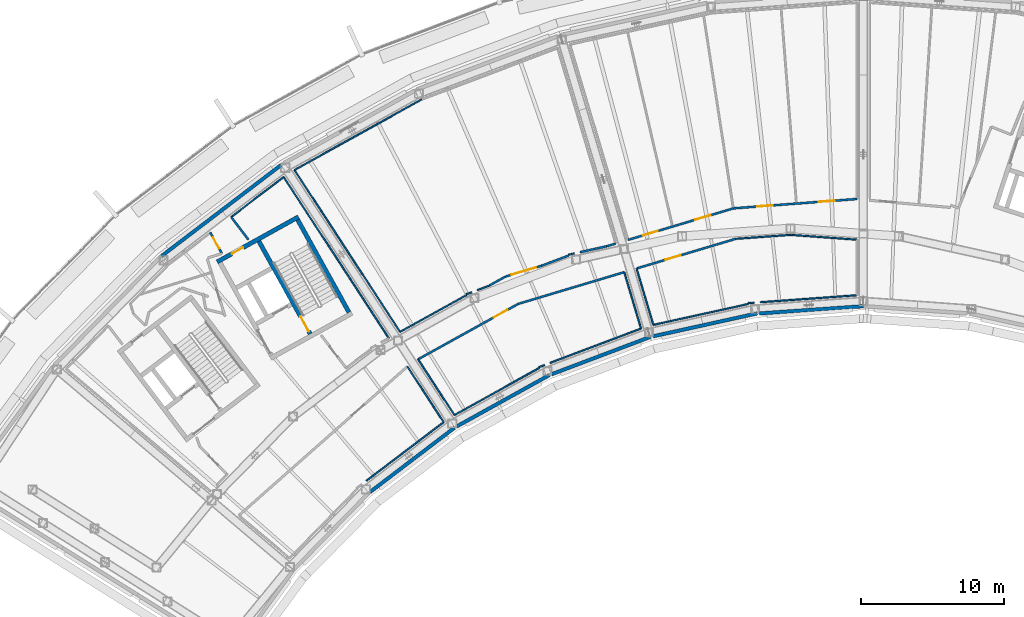
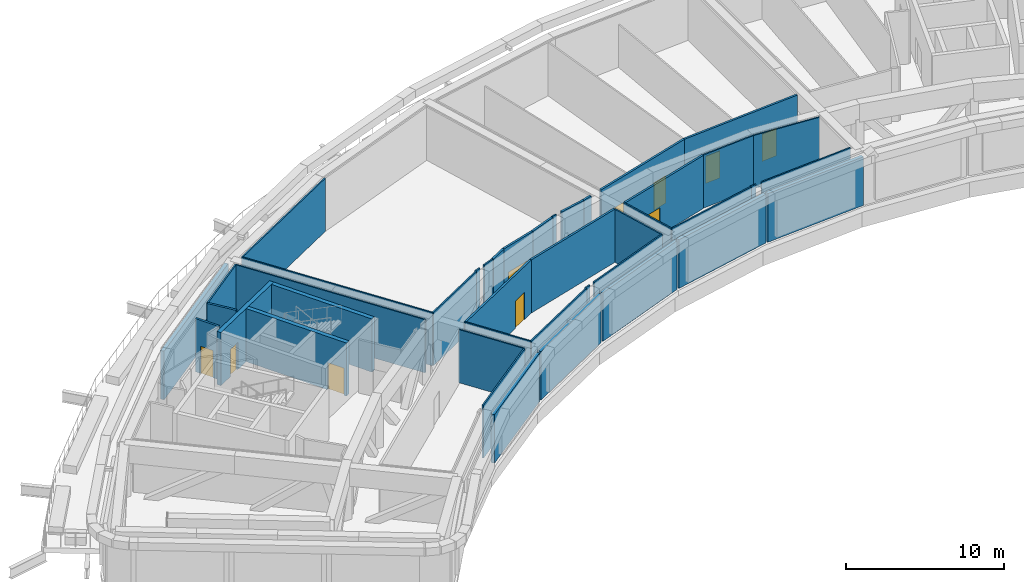
# One storey, part 8 of 24: 42 walls, 10 doors, 10 openings.
"""IFC4 building model written with IfcOpenShell, lengths in metres."""

import ifcopenshell
import ifcopenshell.guid

model = None  # the IFC model being written
_history = None  # IfcOwnerHistory: only IFC2X3 demands one
_inside = {}  # id of a spatial element -> (the spatial element, [elements in it])
_under = {}  # id of a project, library or spatial element -> (it, [spatial elements below it])
_declared = {}  # id of a project -> (the project, [libraries it declares])
_typed = {}  # id of a type object -> (the type object, [elements of that type])
_made_of = {}  # id of a material, layer set ... -> (it, [elements and type objects made of it])


def new_model(schema):
    """Start an empty IFC model of exactly this schema.

    Asked for "IFC4X3", IfcOpenShell would pick the latest addendum, in which some entities
    have other attributes; the version numbers below select the first issue.
    IFC2X3 requires an IfcOwnerHistory on every rooted entity: one is made here for all.
    """
    global model, _history
    if schema == "IFC4X3":
        model = ifcopenshell.file(schema_version=(4, 3, 0, 0))
    else:
        model = ifcopenshell.file(schema=schema)
    _inside.clear()
    _under.clear()
    _declared.clear()
    _typed.clear()
    _made_of.clear()
    _history = None
    if model.schema == "IFC2X3":
        org = make("IfcOrganization", Name="unknown")
        user = make(
            "IfcPersonAndOrganization",
            ThePerson=make("IfcPerson", FamilyName="unknown"),
            TheOrganization=org,
        )
        app = make(
            "IfcApplication",
            ApplicationDeveloper=org,
            Version="unknown",
            ApplicationFullName="unknown",
            ApplicationIdentifier="unknown",
        )
        _history = make(
            "IfcOwnerHistory",
            OwningUser=user,
            OwningApplication=app,
            ChangeAction="ADDED",
            CreationDate=0,
        )
    return model


def make(cls, **values):
    """One entity of the class cls with the attributes given. An attribute that is None is left unset."""
    return model.create_entity(
        cls, **{name: value for name, value in values.items() if value is not None}
    )


def rooted(cls, **values):
    """An entity with a GlobalId (a new one), such as an element, a storey or a relation."""
    return make(cls, GlobalId=ifcopenshell.guid.new(), OwnerHistory=_history, **values)


def si_unit(unit_type, name, prefix=None):
    """IfcSIUnit, for example si_unit("LENGTHUNIT", "METRE", prefix="MILLI")."""
    return make("IfcSIUnit", UnitType=unit_type, Prefix=prefix, Name=name)


def assignment(units):
    """IfcUnitAssignment: the units of a project."""
    return None if units is None else make("IfcUnitAssignment", Units=units)


def point(xyz):
    """IfcCartesianPoint."""
    return None if xyz is None else make("IfcCartesianPoint", Coordinates=xyz)


def direction(xyz):
    """IfcDirection."""
    return None if xyz is None else make("IfcDirection", DirectionRatios=xyz)


def frame(location, z_axis=None, x_axis=None):
    """IfcAxis2Placement3D, a coordinate frame: its origin and axes. An axis left out is left unset."""
    return make(
        "IfcAxis2Placement3D",
        Location=point(location),
        Axis=direction(z_axis),
        RefDirection=direction(x_axis),
    )


def frame_2d(location, x_axis=None):
    """IfcAxis2Placement2D, a coordinate frame in the plane: its origin and x axis."""
    return make(
        "IfcAxis2Placement2D", Location=point(location), RefDirection=direction(x_axis)
    )


def origin():
    """The frame at (0, 0, 0) with its axes left unset."""
    return frame((0.0, 0.0, 0.0))


def place(relative_to, where):
    """IfcLocalPlacement: puts the frame where relative to a parent placement (None: the world)."""
    return make(
        "IfcLocalPlacement", PlacementRelTo=relative_to, RelativePlacement=where
    )


def context(
    kind, dimensions, precision=None, world=None, true_north=None, identifier=None
):
    """IfcGeometricRepresentationContext, for example the 3D "Model" context."""
    return make(
        "IfcGeometricRepresentationContext",
        ContextIdentifier=identifier,
        ContextType=kind,
        CoordinateSpaceDimension=dimensions,
        Precision=precision,
        WorldCoordinateSystem=world,
        TrueNorth=true_north,
    )


def subcontext(parent, identifier, kind, view, scale=None):
    """IfcGeometricRepresentationSubContext, for example "Body" below "Model"."""
    return make(
        "IfcGeometricRepresentationSubContext",
        ContextIdentifier=identifier,
        ContextType=kind,
        ParentContext=parent,
        TargetScale=scale,
        TargetView=view,
    )


def project(units=None, contexts=None):
    """IfcProject with its units and contexts."""
    return rooted(
        "IfcProject",
        Name="project",
        RepresentationContexts=contexts,
        UnitsInContext=assignment(units),
    )


def spatial(cls, under=None, at=None, **own):
    """A site, building, storey or space (cls), placed at a placement, below another one or the project."""
    s = rooted(cls, ObjectPlacement=at, **own)
    if under is not None:
        _under.setdefault(under.id(), (under, []))[1].append(s)
    return s


def profile(cls, at=None, kind="AREA", **sizes):
    """A parametric profile (cls). Its sizes go by their IFC names, for example OverallWidth=200.0."""
    return make(cls, ProfileType=kind, Position=at, **sizes)


def rectangle(**sizes):
    """IfcRectangleProfileDef."""
    return profile("IfcRectangleProfileDef", **sizes)


def extrude(swept, where, along, depth):
    """IfcExtrudedAreaSolid: the profile swept, set in the frame where, extruded along a direction by depth."""
    return make(
        "IfcExtrudedAreaSolid",
        SweptArea=swept,
        Position=where,
        ExtrudedDirection=direction(along),
        Depth=depth,
    )


def shape(context_of_items, identifier, shape_type, items):
    """IfcShapeRepresentation: the items that make up one representation, for example the "Body"."""
    return make(
        "IfcShapeRepresentation",
        ContextOfItems=context_of_items,
        RepresentationIdentifier=identifier,
        RepresentationType=shape_type,
        Items=items,
    )


def material(Name=None, Category=None):
    """IfcMaterial."""
    return make("IfcMaterial", Name=Name, Category=Category)


def layer(
    of_material, thickness, ventilated=None, Name=None, Category=None, Priority=None
):
    """IfcMaterialLayer: one layer of a wall or slab, of a material (None: an air gap)."""
    return make(
        "IfcMaterialLayer",
        Material=of_material,
        LayerThickness=thickness,
        IsVentilated=ventilated,
        Name=Name,
        Category=Category,
        Priority=Priority,
    )


def layer_set(layers, Name=None):
    """IfcMaterialLayerSet."""
    return make("IfcMaterialLayerSet", MaterialLayers=layers, LayerSetName=Name)


def made_of(thing, what):
    """Note that an element or type object is made of a material, layer set ...; save() writes the relation."""
    if what is not None:
        _made_of.setdefault(what.id(), (what, []))[1].append(thing)
    return thing


def type_object(cls, material=None, **own):
    """A type object (cls), such as IfcWallType, which elements share."""
    return made_of(rooted(cls, **own), material)


def element(
    cls,
    number,
    at=None,
    inside=None,
    cuts=None,
    type_object=None,
    material=None,
    context=None,
    identifier="Body",
    shape_type=None,
    held_by="IfcProductDefinitionShape",
    body=None,
    shapes=None,
    **own,
):
    """One element of the class cls, such as IfcWall. Its Tag is "e" and its number.

    at: its placement. inside: the storey or other place that contains it. cuts: it is an
    opening in that element (IfcRelVoidsElement). A single representation is given by context,
    identifier, shape_type and body (its items); several are given by shapes. held_by: the class
    of the entity that holds the representations. save() writes the other relations.
    """
    e = rooted(cls, Tag="e%d" % number, ObjectPlacement=at, **own)
    if body is not None:
        shapes = [shape(context, identifier, shape_type, body)]
    if shapes is not None:
        e.Representation = make(held_by, Representations=shapes)
    if inside is not None:
        _inside.setdefault(inside.id(), (inside, []))[1].append(e)
    if cuts is not None:
        rooted(
            "IfcRelVoidsElement", RelatingBuildingElement=cuts, RelatedOpeningElement=e
        )
    if type_object is not None:
        _typed.setdefault(type_object.id(), (type_object, []))[1].append(e)
    return made_of(e, material)


def fill(opening, filler):
    """IfcRelFillsElement: the door or window that sits in an opening."""
    return rooted(
        "IfcRelFillsElement",
        RelatingOpeningElement=opening,
        RelatedBuildingElement=filler,
    )


def aggregate(whole, parts):
    """IfcRelAggregates: a whole, such as a stair, and the parts it consists of."""
    return rooted("IfcRelAggregates", RelatingObject=whole, RelatedObjects=parts)


def save(model, path):
    """Write the relations noted so far, then the file.

    IfcRelAggregates (storeys below a building ...), IfcRelContainedInSpatialStructure (elements
    in a storey), IfcRelDefinesByType, IfcRelAssociatesMaterial and IfcRelDeclares: one each for
    every whole, place, type object, material and project.
    """
    for whole, parts in _under.values():
        aggregate(whole, parts)
    for where, things in _inside.values():
        rooted(
            "IfcRelContainedInSpatialStructure",
            RelatedElements=things,
            RelatingStructure=where,
        )
    for kind, things in _typed.values():
        rooted("IfcRelDefinesByType", RelatedObjects=things, RelatingType=kind)
    for what, things in _made_of.values():
        rooted("IfcRelAssociatesMaterial", RelatedObjects=things, RelatingMaterial=what)
    for by, libraries in _declared.values():
        rooted("IfcRelDeclares", RelatingContext=by, RelatedDefinitions=libraries)
    model.write(path)


model = new_model("IFC4")

# Units and contexts
model_context = context("Model", 3, precision=1e-05, world=origin(), true_north=direction((0.0, 1.0)))
body_context = subcontext(model_context, "Body", "Model", "MODEL_VIEW")
ifc_project = project(units=[si_unit("LENGTHUNIT", "METRE"), si_unit("AREAUNIT", "SQUARE_METRE"), si_unit("VOLUMEUNIT", "CUBIC_METRE"), si_unit("PLANEANGLEUNIT", "RADIAN"), si_unit("MASSUNIT", "GRAM", prefix="KILO")], contexts=[model_context])

# Site, building, storey
site_placement = place(None, origin())
site = spatial("IfcSite", under=ifc_project, at=site_placement, CompositionType="ELEMENT")
building_placement = place(site_placement, origin())
building = spatial("IfcBuilding", under=site, at=building_placement, Name="Tuul Gate Civic Tower", CompositionType="ELEMENT")
storey_placement = place(building_placement, frame((0.0, 0.0, 243.89990234375)))
storey = spatial("IfcBuildingStorey", under=building, at=storey_placement, Name="Plant and refuge floor 6", CompositionType="ELEMENT", Elevation=243.89990234375)

# Wall, opening, door
ifc_material_1 = material(Name="Concrete C50/60", Category="concrete")
ifc_layer_1 = layer(ifc_material_1, 0.300048828125)
ifc_layer_set_1 = layer_set([ifc_layer_1], Name="Concrete C50/60")
wall_type_1 = type_object("IfcWallType", Name="Core wall C50/60", PredefinedType="SHEAR", material=ifc_layer_set_1)
wall_1_placement = place(storey_placement, frame((-28.4443359375, -1.98095703125, 0.0), z_axis=(0.0, 0.0, 1.0), x_axis=(-0.874629909008, -0.484791215132, 0.0)))
wall_1 = element("IfcWall", 1, at=wall_1_placement, inside=storey, type_object=wall_type_1, Name="Core wall", PredefinedType="SHEAR", context=body_context, shape_type="SweptSolid", body=[
    extrude(rectangle(XDim=6.5, YDim=0.300048828125, at=frame_2d((3.25, 0.0))), origin(), (0.0, 0.0, 1.0), 4.10009765625),
])
opening_1_placement = place(wall_1_placement, frame((4.425048828125, 0.0, 0.0)))
opening_1 = element("IfcOpeningElement", 2, at=opening_1_placement, cuts=wall_1, Name="Opening PB-D24", PredefinedType="OPENING", context=body_context, shape_type="SweptSolid", body=[
    extrude(rectangle(XDim=0.89990234375, YDim=2.10009765625, at=frame_2d((0.449951171875, 1.050048828125))), frame((0.0, 0.16015625, 0.0), z_axis=(0.0, -1.0, 0.0), x_axis=(1.0, 0.0, 0.0)), (0.0, 0.0, 1.0), 0.320068359375),
])
ifc_material_2 = material(Name="Timber door leaf", Category="wood")
door_type_1 = type_object("IfcDoorType", Name="Door D09", OperationType="NOTDEFINED", PredefinedType="DOOR", material=ifc_material_2)
door_1_placement = place(opening_1_placement, origin())
door_1 = element("IfcDoor", 3, at=door_1_placement, inside=storey, type_object=door_type_1, Name="Door PB-D24", OperationType="SINGLE_SWING_LEFT", OverallHeight=2.10009765625, OverallWidth=0.89990234375, PredefinedType="DOOR", context=body_context, shape_type="SweptSolid", body=[
    extrude(rectangle(XDim=0.89990234375, YDim=2.10009765625, at=frame_2d((0.449951171875, 1.050048828125))), frame((0.0, 0.02490234375, 0.0), z_axis=(0.0, -1.0, 0.0), x_axis=(1.0, 0.0, 0.0)), (0.0, 0.0, 1.0), 0.050048828125),
])
fill(opening_1, door_1)

# Wall
wall_2_placement = place(storey_placement, frame((-24.91552734375, -8.6572265625, 0.0), z_axis=(0.0, 0.0, 1.0), x_axis=(-0.484777133038, 0.874637714304, 0.0)))
element("IfcWall", 4, at=wall_2_placement, inside=storey, type_object=wall_type_1, Name="Core wall", PredefinedType="SHEAR", context=body_context, shape_type="SweptSolid", body=[
    extrude(rectangle(XDim=7.400146484375, YDim=0.300048828125, at=frame_2d((3.7001953125, 0.0))), origin(), (0.0, 0.0, 1.0), 4.10009765625),
])

# Wall, opening, door
wall_3_placement = place(storey_placement, frame((-27.626953125, -10.16015625, 0.0), z_axis=(0.0, 0.0, 1.0), x_axis=(-0.484751894226, 0.874651702704, 0.0)))
wall_3 = element("IfcWall", 5, at=wall_3_placement, inside=storey, type_object=wall_type_1, Name="Core wall", PredefinedType="SHEAR", context=body_context, shape_type="SweptSolid", body=[
    extrude(rectangle(XDim=7.39990234375, YDim=0.300048828125, at=frame_2d((3.699951171875, 0.0))), origin(), (0.0, 0.0, 1.0), 4.10009765625),
])
opening_2_placement = place(wall_3_placement, frame((0.199951171875, 0.0, 0.0)))
opening_2 = element("IfcOpeningElement", 6, at=opening_2_placement, cuts=wall_3, Name="Opening SD-ST-2", PredefinedType="OPENING", context=body_context, shape_type="SweptSolid", body=[
    extrude(rectangle(XDim=1.199951171875, YDim=2.10009765625, at=frame_2d((0.60009765625, 1.050048828125))), frame((0.0, 0.16015625, 0.0), z_axis=(0.0, -1.0, 0.0), x_axis=(1.0, 0.0, 0.0)), (0.0, 0.0, 1.0), 0.320068359375),
])
ifc_material_3 = material(Name="Steel", Category="steel")
door_type_2 = type_object("IfcDoorType", Name="Stair door", OperationType="NOTDEFINED", PredefinedType="DOOR", material=ifc_material_3)
door_2_placement = place(opening_2_placement, origin())
door_2 = element("IfcDoor", 7, at=door_2_placement, inside=storey, type_object=door_type_2, Name="Stair door ST-2", OperationType="SINGLE_SWING_LEFT", OverallHeight=2.10009765625, OverallWidth=1.199951171875, PredefinedType="DOOR", context=body_context, shape_type="SweptSolid", body=[
    extrude(rectangle(XDim=1.199951171875, YDim=2.10009765625, at=frame_2d((0.60009765625, 1.050048828125))), frame((0.0, 0.02490234375, 0.0), z_axis=(0.0, -1.0, 0.0), x_axis=(1.0, 0.0, 0.0)), (0.0, 0.0, 1.0), 0.050048828125),
])
fill(opening_2, door_2)

# Wall
ifc_material_4 = material(Name="Gypsum board partition")
ifc_layer_2 = layer(ifc_material_4, 0.14990234375)
ifc_layer_set_2 = layer_set([ifc_layer_2], Name="Gypsum board partition")
wall_type_2 = type_object("IfcWallType", Name="Corridor wall P150", PredefinedType="PARTITIONING", material=ifc_layer_set_2)
wall_4_placement = place(storey_placement, frame((-13.08251953125, -8.0634765625, 0.0), z_axis=(0.0, 0.0, 1.0), x_axis=(0.958030377263, 0.286666698872, 0.0)))
element("IfcWall", 8, at=wall_4_placement, inside=storey, type_object=wall_type_2, Name="p053", PredefinedType="PARTITIONING", context=body_context, shape_type="SweptSolid", body=[
    extrude(rectangle(XDim=7.727783203125, YDim=0.14990234375, at=frame_2d((3.86376953125, 0.0))), origin(), (0.0, 0.0, 1.0), 4.10009765625),
])

# Wall, opening, door
wall_5_placement = place(storey_placement, frame((-4.81689453125, -5.590087890625, 0.0), z_axis=(0.0, 0.0, 1.0), x_axis=(0.958037164083, 0.28664401657, 0.0)))
wall_5 = element("IfcWall", 9, at=wall_5_placement, inside=storey, type_object=wall_type_2, Name="p054", PredefinedType="PARTITIONING", context=body_context, shape_type="SweptSolid", body=[
    extrude(rectangle(XDim=7.224365234375, YDim=0.14990234375, at=frame_2d((3.6123046875, 0.0))), origin(), (0.0, 0.0, 1.0), 4.10009765625),
])
opening_3_placement = place(wall_5_placement, frame((2.112060546875, 0.0, 0.0)))
opening_3 = element("IfcOpeningElement", 10, at=opening_3_placement, cuts=wall_5, Name="Opening PB-D12", PredefinedType="OPENING", context=body_context, shape_type="SweptSolid", body=[
    extrude(rectangle(XDim=1.10009765625, YDim=2.10009765625, at=frame_2d((0.550048828125, 1.050048828125))), frame((0.0, 0.0849609375, 0.0), z_axis=(0.0, -1.0, 0.0), x_axis=(1.0, 0.0, 0.0)), (0.0, 0.0, 1.0), 0.169921875),
])
ifc_material_5 = material(Name="Timber door leaf", Category="wood")
door_type_3 = type_object("IfcDoorType", Name="Door D11", OperationType="NOTDEFINED", PredefinedType="DOOR", material=ifc_material_5)
door_3_placement = place(opening_3_placement, frame((1.10009765625, 0.0, 0.0), z_axis=(0.0, 0.0, 1.0), x_axis=(-1.0, 0.0, 0.0)))
door_3 = element("IfcDoor", 11, at=door_3_placement, inside=storey, type_object=door_type_3, Name="Door PB-D12", OperationType="SINGLE_SWING_LEFT", OverallHeight=2.10009765625, OverallWidth=1.10009765625, PredefinedType="DOOR", context=body_context, shape_type="SweptSolid", body=[
    extrude(rectangle(XDim=1.10009765625, YDim=2.10009765625, at=frame_2d((0.550048828125, 1.050048828125))), frame((0.0, 0.02490234375, 0.0), z_axis=(0.0, -1.0, 0.0), x_axis=(1.0, 0.0, 0.0)), (0.0, 0.0, 1.0), 0.050048828125),
])
fill(opening_3, door_3)

# Wall, openings, doors
wall_6_placement = place(storey_placement, frame((1.957275390625, -1.38818359375, 0.0), z_axis=(0.0, 0.0, 1.0), x_axis=(0.99714052903, 0.075569606098, 0.0)))
wall_6 = element("IfcWall", 12, at=wall_6_placement, inside=storey, type_object=wall_type_2, Name="p056", PredefinedType="PARTITIONING", context=body_context, shape_type="SweptSolid", body=[
    extrude(rectangle(XDim=8.6484375, YDim=0.14990234375, at=frame_2d((4.32421875, 0.0))), origin(), (0.0, 0.0, 1.0), 4.10009765625),
])
opening_4_placement = place(wall_6_placement, frame((5.981201171875, 0.0, 0.0)))
opening_4 = element("IfcOpeningElement", 13, at=opening_4_placement, cuts=wall_6, Name="Opening PB-D13", PredefinedType="OPENING", context=body_context, shape_type="SweptSolid", body=[
    extrude(rectangle(XDim=1.10009765625, YDim=2.10009765625, at=frame_2d((0.550048828125, 1.050048828125))), frame((0.0, 0.0849609375, 0.0), z_axis=(0.0, -1.0, 0.0), x_axis=(1.0, 0.0, 0.0)), (0.0, 0.0, 1.0), 0.169921875),
])
opening_5_placement = place(wall_6_placement, frame((1.656982421875, 0.0, 0.0)))
opening_5 = element("IfcOpeningElement", 14, at=opening_5_placement, cuts=wall_6, Name="Opening PB-D14", PredefinedType="OPENING", context=body_context, shape_type="SweptSolid", body=[
    extrude(rectangle(XDim=1.10009765625, YDim=2.10009765625, at=frame_2d((0.550048828125, 1.050048828125))), frame((0.0, 0.0849609375, 0.0), z_axis=(0.0, -1.0, 0.0), x_axis=(1.0, 0.0, 0.0)), (0.0, 0.0, 1.0), 0.169921875),
])
door_4_placement = place(opening_4_placement, origin())
door_4 = element("IfcDoor", 15, at=door_4_placement, inside=storey, type_object=door_type_3, Name="Door PB-D13", OperationType="SINGLE_SWING_RIGHT", OverallHeight=2.10009765625, OverallWidth=1.10009765625, PredefinedType="DOOR", context=body_context, shape_type="SweptSolid", body=[
    extrude(rectangle(XDim=1.10009765625, YDim=2.10009765625, at=frame_2d((0.550048828125, 1.050048828125))), frame((0.0, 0.02490234375, 0.0), z_axis=(0.0, -1.0, 0.0), x_axis=(1.0, 0.0, 0.0)), (0.0, 0.0, 1.0), 0.050048828125),
])
fill(opening_4, door_4)
door_5_placement = place(opening_5_placement, origin())
door_5 = element("IfcDoor", 16, at=door_5_placement, inside=storey, type_object=door_type_3, Name="Door PB-D14", OperationType="SINGLE_SWING_RIGHT", OverallHeight=2.10009765625, OverallWidth=1.10009765625, PredefinedType="DOOR", context=body_context, shape_type="SweptSolid", body=[
    extrude(rectangle(XDim=1.10009765625, YDim=2.10009765625, at=frame_2d((0.550048828125, 1.050048828125))), frame((0.0, 0.02490234375, 0.0), z_axis=(0.0, -1.0, 0.0), x_axis=(1.0, 0.0, 0.0)), (0.0, 0.0, 1.0), 0.050048828125),
])
fill(opening_5, door_5)

# Wall, opening, door
wall_7_placement = place(storey_placement, frame((-13.969970703125, -6.15380859375, 0.0), z_axis=(0.0, 0.0, 1.0), x_axis=(0.95801649926, 0.286713074598, 0.0)))
wall_7 = element("IfcWall", 17, at=wall_7_placement, inside=storey, type_object=wall_type_2, Name="p058", PredefinedType="PARTITIONING", context=body_context, shape_type="SweptSolid", body=[
    extrude(rectangle(XDim=2.646484375, YDim=0.14990234375, at=frame_2d((1.3232421875, 0.0))), origin(), (0.0, 0.0, 1.0), 4.10009765625),
])
opening_6_placement = place(wall_7_placement, frame((0.423095703125, 0.0, 0.0)))
opening_6 = element("IfcOpeningElement", 18, at=opening_6_placement, cuts=wall_7, Name="Opening PB-D171", PredefinedType="OPENING", context=body_context, shape_type="SweptSolid", body=[
    extrude(rectangle(XDim=1.800048828125, YDim=2.10009765625, at=frame_2d((0.89990234375, 1.050048828125))), frame((0.0, 0.0849609375, 0.0), z_axis=(0.0, -1.0, 0.0), x_axis=(1.0, 0.0, 0.0)), (0.0, 0.0, 1.0), 0.169921875),
])
ifc_material_6 = material(Name="Timber door leaf, double", Category="wood")
door_type_4 = type_object("IfcDoorType", Name="Door D18", OperationType="DOUBLE_DOOR_SINGLE_SWING", PredefinedType="DOOR", material=ifc_material_6)
door_6_placement = place(opening_6_placement, origin())
door_6 = element("IfcDoor", 19, at=door_6_placement, inside=storey, type_object=door_type_4, Name="Door PB-D17", OperationType="DOUBLE_DOOR_SINGLE_SWING", OverallHeight=2.10009765625, OverallWidth=1.800048828125, PredefinedType="DOOR", context=body_context, shape_type="SweptSolid", body=[
    extrude(rectangle(XDim=1.800048828125, YDim=2.10009765625, at=frame_2d((0.89990234375, 1.050048828125))), frame((0.0, 0.02490234375, 0.0), z_axis=(0.0, -1.0, 0.0), x_axis=(1.0, 0.0, 0.0)), (0.0, 0.0, 1.0), 0.050048828125),
])
fill(opening_6, door_6)

# Wall
wall_8_placement = place(storey_placement, frame((-6.91259765625, -4.0419921875, 0.0), z_axis=(0.0, 0.0, 1.0), x_axis=(0.957967164936, 0.286877867574, 0.0)))
element("IfcWall", 20, at=wall_8_placement, inside=storey, type_object=wall_type_2, Name="p059", PredefinedType="PARTITIONING", context=body_context, shape_type="SweptSolid", body=[
    extrude(rectangle(XDim=0.667236328125, YDim=0.14990234375, at=frame_2d((0.33349609375, 0.0))), origin(), (0.0, 0.0, 1.0), 4.10009765625),
])

# Wall, openings, doors
wall_9_placement = place(storey_placement, frame((-5.4111328125, -3.5927734375, 0.0), z_axis=(0.0, 0.0, 1.0), x_axis=(0.958032283204, 0.286660329205, 0.0)))
wall_9 = element("IfcWall", 21, at=wall_9_placement, inside=storey, type_object=wall_type_2, Name="p060", PredefinedType="PARTITIONING", context=body_context, shape_type="SweptSolid", body=[
    extrude(rectangle(XDim=7.68896484375, YDim=0.14990234375, at=frame_2d((3.844482421875, 0.0))), origin(), (0.0, 0.0, 1.0), 4.10009765625),
])
opening_7_placement = place(wall_9_placement, frame((4.91064453125, 0.0, 0.0)))
opening_7 = element("IfcOpeningElement", 22, at=opening_7_placement, cuts=wall_9, Name="Opening PB-D15", PredefinedType="OPENING", context=body_context, shape_type="SweptSolid", body=[
    extrude(rectangle(XDim=1.10009765625, YDim=2.10009765625, at=frame_2d((0.550048828125, 1.050048828125))), frame((0.0, 0.0849609375, 0.0), z_axis=(0.0, -1.0, 0.0), x_axis=(1.0, 0.0, 0.0)), (0.0, 0.0, 1.0), 0.169921875),
])
opening_8_placement = place(wall_9_placement, frame((1.071533203125, 0.0, 0.0)))
opening_8 = element("IfcOpeningElement", 23, at=opening_8_placement, cuts=wall_9, Name="Opening PB-D16", PredefinedType="OPENING", context=body_context, shape_type="SweptSolid", body=[
    extrude(rectangle(XDim=1.10009765625, YDim=2.10009765625, at=frame_2d((0.550048828125, 1.050048828125))), frame((0.0, 0.0849609375, 0.0), z_axis=(0.0, -1.0, 0.0), x_axis=(1.0, 0.0, 0.0)), (0.0, 0.0, 1.0), 0.169921875),
])
door_7_placement = place(opening_7_placement, origin())
door_7 = element("IfcDoor", 24, at=door_7_placement, inside=storey, type_object=door_type_3, Name="Door PB-D15", OperationType="SINGLE_SWING_RIGHT", OverallHeight=2.10009765625, OverallWidth=1.10009765625, PredefinedType="DOOR", context=body_context, shape_type="SweptSolid", body=[
    extrude(rectangle(XDim=1.10009765625, YDim=2.10009765625, at=frame_2d((0.550048828125, 1.050048828125))), frame((0.0, 0.02490234375, 0.0), z_axis=(0.0, -1.0, 0.0), x_axis=(1.0, 0.0, 0.0)), (0.0, 0.0, 1.0), 0.050048828125),
])
fill(opening_7, door_7)
door_8_placement = place(opening_8_placement, origin())
door_8 = element("IfcDoor", 25, at=door_8_placement, inside=storey, type_object=door_type_3, Name="Door PB-D16", OperationType="SINGLE_SWING_RIGHT", OverallHeight=2.10009765625, OverallWidth=1.10009765625, PredefinedType="DOOR", context=body_context, shape_type="SweptSolid", body=[
    extrude(rectangle(XDim=1.10009765625, YDim=2.10009765625, at=frame_2d((0.550048828125, 1.050048828125))), frame((0.0, 0.02490234375, 0.0), z_axis=(0.0, -1.0, 0.0), x_axis=(1.0, 0.0, 0.0)), (0.0, 0.0, 1.0), 0.050048828125),
])
fill(opening_8, door_8)

# Walls
wall_10_placement = place(storey_placement, frame((-8.7626953125, -4.449951171875, 0.0), z_axis=(0.0, 0.0, 1.0), x_axis=(0.976540513158, 0.215333755277, 0.0)))
element("IfcWall", 26, at=wall_10_placement, inside=storey, type_object=wall_type_2, Name="p062", PredefinedType="PARTITIONING", context=body_context, shape_type="SweptSolid", body=[
    extrude(rectangle(XDim=1.89453125, YDim=0.14990234375, at=frame_2d((0.947265625, 0.0))), origin(), (0.0, 0.0, 1.0), 4.10009765625),
])
wall_11_placement = place(storey_placement, frame((-11.4345703125, -5.39501953125, 0.0), z_axis=(0.0, 0.0, 1.0), x_axis=(0.935374930246, 0.353657659139, 0.0)))
element("IfcWall", 27, at=wall_11_placement, inside=storey, type_object=wall_type_2, Name="p063", PredefinedType="PARTITIONING", context=body_context, shape_type="SweptSolid", body=[
    extrude(rectangle(XDim=1.994384765625, YDim=0.14990234375, at=frame_2d((0.9970703125, 0.0))), origin(), (0.0, 0.0, 1.0), 4.10009765625),
])
wall_12_placement = place(storey_placement, frame((-15.111083984375, -6.785400390625, 0.0), z_axis=(0.0, 0.0, 1.0), x_axis=(0.874924366418, 0.484259592624, 0.0)))
element("IfcWall", 28, at=wall_12_placement, inside=storey, type_object=wall_type_2, Name="p064", PredefinedType="PARTITIONING", context=body_context, shape_type="SweptSolid", body=[
    extrude(rectangle(XDim=1.30419921875, YDim=0.14990234375, at=frame_2d((0.652099609375, 0.0))), origin(), (0.0, 0.0, 1.0), 4.10009765625),
])

# Wall, opening, door
wall_13_placement = place(storey_placement, frame((-20.08984375, -11.9404296875, 0.0), z_axis=(0.0, 0.0, 1.0), x_axis=(0.874961993483, 0.484191604595, 0.0)))
wall_13 = element("IfcWall", 29, at=wall_13_placement, inside=storey, type_object=wall_type_2, Name="p065", PredefinedType="PARTITIONING", context=body_context, shape_type="SweptSolid", body=[
    extrude(rectangle(XDim=8.001953125, YDim=0.14990234375, at=frame_2d((4.0009765625, 0.0))), origin(), (0.0, 0.0, 1.0), 4.10009765625),
])
opening_9_placement = place(wall_13_placement, frame((6.051025390625, 0.0, 0.0)))
opening_9 = element("IfcOpeningElement", 30, at=opening_9_placement, cuts=wall_13, Name="Opening PB-D18", PredefinedType="OPENING", context=body_context, shape_type="SweptSolid", body=[
    extrude(rectangle(XDim=1.10009765625, YDim=2.10009765625, at=frame_2d((0.550048828125, 1.050048828125))), frame((0.0, 0.0849609375, 0.0), z_axis=(0.0, -1.0, 0.0), x_axis=(1.0, 0.0, 0.0)), (0.0, 0.0, 1.0), 0.169921875),
])
door_9_placement = place(opening_9_placement, frame((1.10009765625, 0.0, 0.0), z_axis=(0.0, 0.0, 1.0), x_axis=(-1.0, 0.0, 0.0)))
door_9 = element("IfcDoor", 31, at=door_9_placement, inside=storey, type_object=door_type_3, Name="Door PB-D18", OperationType="SINGLE_SWING_LEFT", OverallHeight=2.10009765625, OverallWidth=1.10009765625, PredefinedType="DOOR", context=body_context, shape_type="SweptSolid", body=[
    extrude(rectangle(XDim=1.10009765625, YDim=2.10009765625, at=frame_2d((0.550048828125, 1.050048828125))), frame((0.0, 0.02490234375, 0.0), z_axis=(0.0, -1.0, 0.0), x_axis=(1.0, 0.0, 0.0)), (0.0, 0.0, 1.0), 0.050048828125),
])
fill(opening_9, door_9)

# Wall
wall_14_placement = place(storey_placement, frame((-33.152099609375, -1.992431640625, 0.0), z_axis=(0.0, 0.0, 1.0), x_axis=(0.605788403811, -0.795625797601, 0.0)))
element("IfcWall", 32, at=wall_14_placement, inside=storey, type_object=wall_type_2, Name="p066", PredefinedType="PARTITIONING", context=body_context, shape_type="SweptSolid", body=[
    extrude(rectangle(XDim=1.9921875, YDim=0.14990234375, at=frame_2d((0.99609375, 0.0))), origin(), (0.0, 0.0, 1.0), 4.10009765625),
])

# Wall, opening, door
wall_15_placement = place(storey_placement, frame((-34.615234375, -3.06884765625, 0.0), z_axis=(0.0, 0.0, 1.0), x_axis=(0.484624042628, -0.874722548758, 0.0)))
wall_15 = element("IfcWall", 33, at=wall_15_placement, inside=storey, type_object=wall_type_2, Name="p074", PredefinedType="PARTITIONING", context=body_context, shape_type="SweptSolid", body=[
    extrude(rectangle(XDim=1.689208984375, YDim=0.14990234375, at=frame_2d((0.8447265625, 0.0))), origin(), (0.0, 0.0, 1.0), 4.10009765625),
])
opening_10_placement = place(wall_15_placement, frame((0.39453125, 0.0, 0.0)))
opening_10 = element("IfcOpeningElement", 34, at=opening_10_placement, cuts=wall_15, Name="Opening PB-D221", PredefinedType="OPENING", context=body_context, shape_type="SweptSolid", body=[
    extrude(rectangle(XDim=0.89990234375, YDim=2.10009765625, at=frame_2d((0.449951171875, 1.050048828125))), frame((0.0, 0.0849609375, 0.0), z_axis=(0.0, -1.0, 0.0), x_axis=(1.0, 0.0, 0.0)), (0.0, 0.0, 1.0), 0.169921875),
])
door_10_placement = place(opening_10_placement, frame((0.89990234375, 0.0, 0.0), z_axis=(0.0, 0.0, 1.0), x_axis=(-1.0, 0.0, 0.0)))
door_10 = element("IfcDoor", 35, at=door_10_placement, inside=storey, type_object=door_type_1, Name="Door PB-D22", OperationType="SINGLE_SWING_LEFT", OverallHeight=2.10009765625, OverallWidth=0.89990234375, PredefinedType="DOOR", context=body_context, shape_type="SweptSolid", body=[
    extrude(rectangle(XDim=0.89990234375, YDim=2.10009765625, at=frame_2d((0.449951171875, 1.050048828125))), frame((0.0, 0.02490234375, 0.0), z_axis=(0.0, -1.0, 0.0), x_axis=(1.0, 0.0, 0.0)), (0.0, 0.0, 1.0), 0.050048828125),
])
fill(opening_10, door_10)

# Walls
ifc_material_7 = material(Name="Precast concrete C40/50", Category="concrete")
ifc_layer_3 = layer(ifc_material_7, 0.25)
ifc_layer_set_3 = layer_set([ifc_layer_3], Name="Precast concrete C40/50")
wall_type_3 = type_object("IfcWallType", Name="External wall", PredefinedType="STANDARD", material=ifc_layer_set_3)
wall_16_placement = place(storey_placement, frame((-29.6708984375, 1.631591796875, 0.0), z_axis=(0.0, 0.0, 1.0), x_axis=(-0.795651980697, -0.605754014113, 0.0)))
element("IfcWall", 36, at=wall_16_placement, inside=storey, type_object=wall_type_3, Name="External wall", PredefinedType="STANDARD", context=body_context, shape_type="SweptSolid", body=[
    extrude(rectangle(XDim=10.48046875, YDim=0.25, at=frame_2d((5.240234375, 0.0))), origin(), (0.0, 0.0, 1.0), 3.75),
])
wall_17_placement = place(storey_placement, frame((-23.43603515625, -21.209228515625, 0.0), z_axis=(0.0, 0.0, 1.0), x_axis=(0.795632531341, 0.6057795598, 0.0)))
element("IfcWall", 37, at=wall_17_placement, inside=storey, type_object=wall_type_3, Name="External wall", PredefinedType="STANDARD", context=body_context, shape_type="SweptSolid", body=[
    extrude(rectangle(XDim=7.394287109375, YDim=0.25, at=frame_2d((3.697265625, 0.0))), origin(), (0.0, 0.0, 1.0), 3.75),
])
wall_18_placement = place(storey_placement, frame((-17.39599609375, -16.6357421875, 0.0), z_axis=(0.0, 0.0, 1.0), x_axis=(0.874625403498, 0.484799343601, 0.0)))
element("IfcWall", 38, at=wall_18_placement, inside=storey, type_object=wall_type_3, Name="External wall", PredefinedType="STANDARD", context=body_context, shape_type="SweptSolid", body=[
    extrude(rectangle(XDim=7.398193359375, YDim=0.25, at=frame_2d((3.69921875, 0.0))), origin(), (0.0, 0.0, 1.0), 3.75),
])
wall_19_placement = place(storey_placement, frame((-10.756103515625, -12.983642578125, 0.0), z_axis=(0.0, 0.0, 1.0), x_axis=(0.935328133861, 0.35378140427, 0.0)))
element("IfcWall", 39, at=wall_19_placement, inside=storey, type_object=wall_type_3, Name="External wall", PredefinedType="STANDARD", context=body_context, shape_type="SweptSolid", body=[
    extrude(rectangle(XDim=7.404541015625, YDim=0.25, at=frame_2d((3.7021484375, 0.0))), origin(), (0.0, 0.0, 1.0), 3.75),
])
wall_20_placement = place(storey_placement, frame((-3.655029296875, -10.330322265625, 0.0), z_axis=(0.0, 0.0, 1.0), x_axis=(0.976589205894, 0.21511281443, 0.0)))
element("IfcWall", 40, at=wall_20_placement, inside=storey, type_object=wall_type_3, Name="External wall", PredefinedType="STANDARD", context=body_context, shape_type="SweptSolid", body=[
    extrude(rectangle(XDim=7.439453125, YDim=0.25, at=frame_2d((3.7197265625, 0.0))), origin(), (0.0, 0.0, 1.0), 3.75),
])
wall_21_placement = place(storey_placement, frame((3.76806640625, -8.73388671875, 0.0), z_axis=(0.0, 0.0, 1.0), x_axis=(0.997594877423, 0.069314215995, 0.0)))
element("IfcWall", 41, at=wall_21_placement, inside=storey, type_object=wall_type_3, Name="External wall", PredefinedType="STANDARD", context=body_context, shape_type="SweptSolid", body=[
    extrude(rectangle(XDim=7.280517578125, YDim=0.25, at=frame_2d((3.64013671875, 0.0))), origin(), (0.0, 0.0, 1.0), 3.75),
])
ifc_material_8 = material(Name="Gypsum board partition")
ifc_layer_4 = layer(ifc_material_8, 0.10009765625)
ifc_layer_set_4 = layer_set([ifc_layer_4], Name="Gypsum board partition")
wall_type_4 = type_object("IfcWallType", Name="Partition P100", PredefinedType="PARTITIONING", material=ifc_layer_set_4)
wall_22_placement = place(storey_placement, frame((2.104248046875, -3.519287109375, 0.0), z_axis=(0.0, 0.0, 1.0), x_axis=(0.99738240786, 0.072307209124, 0.0)))
element("IfcWall", 42, at=wall_22_placement, inside=storey, type_object=wall_type_4, Name="p098", PredefinedType="PARTITIONING", context=body_context, shape_type="SweptSolid", body=[
    extrude(rectangle(XDim=3.845703125, YDim=0.10009765625, at=frame_2d((1.9228515625, 0.0))), origin(), (0.0, 0.0, 1.0), 4.10009765625),
])
wall_23_placement = place(storey_placement, frame((5.93994140625, -3.2412109375, 0.0), z_axis=(0.0, 0.0, 1.0), x_axis=(0.997383041699, -0.072298465621, 0.0)))
element("IfcWall", 43, at=wall_23_placement, inside=storey, type_object=wall_type_4, Name="p099", PredefinedType="PARTITIONING", context=body_context, shape_type="SweptSolid", body=[
    extrude(rectangle(XDim=4.6533203125, YDim=0.10009765625, at=frame_2d((2.32666015625, 0.0))), origin(), (0.0, 0.0, 1.0), 4.10009765625),
])
wall_24_placement = place(storey_placement, frame((10.5810546875, -7.46337890625, 0.0), z_axis=(0.0, 0.0, 1.0), x_axis=(-0.997390845527, -0.072190728347, 0.0)))
element("IfcWall", 44, at=wall_24_placement, inside=storey, type_object=wall_type_4, Name="p101", PredefinedType="PARTITIONING", context=body_context, shape_type="SweptSolid", body=[
    extrude(rectangle(XDim=6.7841796875, YDim=0.10009765625, at=frame_2d((3.39208984375, 0.0))), origin(), (0.0, 0.0, 1.0), 4.10009765625),
])
wall_25_placement = place(storey_placement, frame((3.39404296875, -7.9833984375, 0.0), z_axis=(0.0, 0.0, 1.0), x_axis=(-0.997365816959, -0.072535695779, 0.0)))
element("IfcWall", 45, at=wall_25_placement, inside=storey, type_object=wall_type_4, Name="p102", PredefinedType="PARTITIONING", context=body_context, shape_type="SweptSolid", body=[
    extrude(rectangle(XDim=0.41748046875, YDim=0.10009765625, at=frame_2d((0.208740234375, 0.0))), origin(), (0.0, 0.0, 1.0), 4.10009765625),
])
wall_26_placement = place(storey_placement, frame((2.982177734375, -8.07421875, 0.0), z_axis=(0.0, 0.0, 1.0), x_axis=(-0.976562386162, -0.215234537039, 0.0)))
element("IfcWall", 46, at=wall_26_placement, inside=storey, type_object=wall_type_4, Name="p103", PredefinedType="PARTITIONING", context=body_context, shape_type="SweptSolid", body=[
    extrude(rectangle(XDim=6.7841796875, YDim=0.10009765625, at=frame_2d((3.39208984375, 0.0))), origin(), (0.0, 0.0, 1.0), 4.10009765625),
])
wall_27_placement = place(storey_placement, frame((-3.64306640625, -9.534423828125, 0.0), z_axis=(0.0, 0.0, 1.0), x_axis=(-0.285235428754, 0.958457484807, 0.0)))
element("IfcWall", 47, at=wall_27_placement, inside=storey, type_object=wall_type_4, Name="p104", PredefinedType="PARTITIONING", context=body_context, shape_type="SweptSolid", body=[
    extrude(rectangle(XDim=4.115234375, YDim=0.10009765625, at=frame_2d((2.0576171875, 0.0))), origin(), (0.0, 0.0, 1.0), 4.10009765625),
])
wall_28_placement = place(storey_placement, frame((-21.341552734375, -10.023193359375, 0.0), z_axis=(0.0, 0.0, 1.0), x_axis=(-0.546687067562, 0.837336999159, 0.0)))
element("IfcWall", 48, at=wall_28_placement, inside=storey, type_object=wall_type_4, Name="p112", PredefinedType="PARTITIONING", context=body_context, shape_type="SweptSolid", body=[
    extrude(rectangle(XDim=13.514404296875, YDim=0.10009765625, at=frame_2d((6.75732421875, 0.0))), origin(), (0.0, 0.0, 1.0), 4.10009765625),
])
wall_29_placement = place(storey_placement, frame((-28.729736328125, 1.29296875, 0.0), z_axis=(0.0, 0.0, 1.0), x_axis=(0.874632903096, 0.484785813346, 0.0)))
element("IfcWall", 49, at=wall_29_placement, inside=storey, type_object=wall_type_4, Name="p113", PredefinedType="PARTITIONING", context=body_context, shape_type="SweptSolid", body=[
    extrude(rectangle(XDim=10.16015625, YDim=0.10009765625, at=frame_2d((5.080078125, 0.0))), origin(), (0.0, 0.0, 1.0), 4.10009765625),
])
wall_30_placement = place(storey_placement, frame((-9.1748046875, -4.54052734375, 0.0), z_axis=(0.0, 0.0, 1.0), x_axis=(-0.976543679102, -0.21531939719, 0.0)))
element("IfcWall", 50, at=wall_30_placement, inside=storey, type_object=wall_type_4, Name="p117", PredefinedType="PARTITIONING", context=body_context, shape_type="SweptSolid", body=[
    extrude(rectangle(XDim=0.417236328125, YDim=0.10009765625, at=frame_2d((0.20849609375, 0.0))), origin(), (0.0, 0.0, 1.0), 4.10009765625),
])
wall_31_placement = place(storey_placement, frame((-15.111083984375, -6.785400390625, 0.0), z_axis=(0.0, 0.0, 1.0), x_axis=(-0.935468055711, -0.35341125724, 0.0)))
element("IfcWall", 51, at=wall_31_placement, inside=storey, type_object=wall_type_4, Name="p119", PredefinedType="PARTITIONING", context=body_context, shape_type="SweptSolid", body=[
    extrude(rectangle(XDim=0.888427734375, YDim=0.10009765625, at=frame_2d((0.4443359375, 0.0))), origin(), (0.0, 0.0, 1.0), 4.10009765625),
])
wall_32_placement = place(storey_placement, frame((-16.336669921875, -7.24853515625, 0.0), z_axis=(0.0, 0.0, 1.0), x_axis=(-0.93529148989, -0.353878268532, 0.0)))
element("IfcWall", 52, at=wall_32_placement, inside=storey, type_object=wall_type_4, Name="p120", PredefinedType="PARTITIONING", context=body_context, shape_type="SweptSolid", body=[
    extrude(rectangle(XDim=0.41748046875, YDim=0.10009765625, at=frame_2d((0.208740234375, 0.0))), origin(), (0.0, 0.0, 1.0), 4.10009765625),
])
wall_33_placement = place(storey_placement, frame((-16.70556640625, -7.453125, 0.0), z_axis=(0.0, 0.0, 1.0), x_axis=(-0.87459577394, -0.484852794368, 0.0)))
element("IfcWall", 53, at=wall_33_placement, inside=storey, type_object=wall_type_4, Name="p121", PredefinedType="PARTITIONING", context=body_context, shape_type="SweptSolid", body=[
    extrude(rectangle(XDim=5.30078125, YDim=0.10009765625, at=frame_2d((2.650390625, 0.0))), origin(), (0.0, 0.0, 1.0), 4.10009765625),
])
wall_34_placement = place(storey_placement, frame((-5.678955078125, -5.84814453125, 0.0), z_axis=(0.0, 0.0, 1.0), x_axis=(0.285223739348, -0.958460963478, 0.0)))
element("IfcWall", 54, at=wall_34_placement, inside=storey, type_object=wall_type_4, Name="p122", PredefinedType="PARTITIONING", context=body_context, shape_type="SweptSolid", body=[
    extrude(rectangle(XDim=4.11376953125, YDim=0.10009765625, at=frame_2d((2.056884765625, 0.0))), origin(), (0.0, 0.0, 1.0), 4.10009765625),
])
wall_35_placement = place(storey_placement, frame((-4.505615234375, -9.791015625, 0.0), z_axis=(0.0, 0.0, 1.0), x_axis=(-0.935362856529, -0.35368959078, 0.0)))
element("IfcWall", 55, at=wall_35_placement, inside=storey, type_object=wall_type_4, Name="p123", PredefinedType="PARTITIONING", context=body_context, shape_type="SweptSolid", body=[
    extrude(rectangle(XDim=6.783935546875, YDim=0.10009765625, at=frame_2d((3.39208984375, 0.0))), origin(), (0.0, 0.0, 1.0), 4.10009765625),
])
wall_36_placement = place(storey_placement, frame((-11.24560546875, -12.339599609375, 0.0), z_axis=(0.0, 0.0, 1.0), x_axis=(-0.93529148989, -0.353878268532, 0.0)))
element("IfcWall", 56, at=wall_36_placement, inside=storey, type_object=wall_type_4, Name="p124", PredefinedType="PARTITIONING", context=body_context, shape_type="SweptSolid", body=[
    extrude(rectangle(XDim=0.41748046875, YDim=0.10009765625, at=frame_2d((0.208740234375, 0.0))), origin(), (0.0, 0.0, 1.0), 4.10009765625),
])
wall_37_placement = place(storey_placement, frame((-11.614501953125, -12.544189453125, 0.0), z_axis=(0.0, 0.0, 1.0), x_axis=(-0.874603336663, -0.484839152191, 0.0)))
element("IfcWall", 57, at=wall_37_placement, inside=storey, type_object=wall_type_4, Name="p125", PredefinedType="PARTITIONING", context=body_context, shape_type="SweptSolid", body=[
    extrude(rectangle(XDim=6.784423828125, YDim=0.10009765625, at=frame_2d((3.39208984375, 0.0))), origin(), (0.0, 0.0, 1.0), 4.10009765625),
])
wall_38_placement = place(storey_placement, frame((-17.548095703125, -15.83349609375, 0.0), z_axis=(0.0, 0.0, 1.0), x_axis=(-0.54668898105, 0.837335749863, 0.0)))
element("IfcWall", 58, at=wall_38_placement, inside=storey, type_object=wall_type_4, Name="p126", PredefinedType="PARTITIONING", context=body_context, shape_type="SweptSolid", body=[
    extrude(rectangle(XDim=4.6494140625, YDim=0.10009765625, at=frame_2d((2.32470703125, 0.0))), origin(), (0.0, 0.0, 1.0), 4.10009765625),
])
wall_39_placement = place(storey_placement, frame((-33.152099609375, -1.992431640625, 0.0), z_axis=(0.0, 0.0, 1.0), x_axis=(0.795639512413, 0.605770390731, 0.0)))
element("IfcWall", 59, at=wall_39_placement, inside=storey, type_object=wall_type_4, Name="p127", PredefinedType="PARTITIONING", context=body_context, shape_type="SweptSolid", body=[
    extrude(rectangle(XDim=4.611083984375, YDim=0.10009765625, at=frame_2d((2.3056640625, 0.0))), origin(), (0.0, 0.0, 1.0), 4.10009765625),
])
wall_40_placement = place(storey_placement, frame((-29.4833984375, 0.80078125, 0.0), z_axis=(0.0, 0.0, 1.0), x_axis=(0.546702936713, -0.83732663817, 0.0)))
element("IfcWall", 60, at=wall_40_placement, inside=storey, type_object=wall_type_4, Name="p128", PredefinedType="PARTITIONING", context=body_context, shape_type="SweptSolid", body=[
    extrude(rectangle(XDim=13.44921875, YDim=0.10009765625, at=frame_2d((6.724609375, 0.0))), origin(), (0.0, 0.0, 1.0), 4.10009765625),
])
wall_41_placement = place(storey_placement, frame((-20.835693359375, -12.4443359375, 0.0), z_axis=(0.0, 0.0, 1.0), x_axis=(0.546725601834, -0.83731183934, 0.0)))
element("IfcWall", 61, at=wall_41_placement, inside=storey, type_object=wall_type_4, Name="p132", PredefinedType="PARTITIONING", context=body_context, shape_type="SweptSolid", body=[
    extrude(rectangle(XDim=4.63525390625, YDim=0.10009765625, at=frame_2d((2.317626953125, 0.0))), origin(), (0.0, 0.0, 1.0), 4.10009765625),
])
wall_42_placement = place(storey_placement, frame((-18.301513671875, -16.325439453125, 0.0), z_axis=(0.0, 0.0, 1.0), x_axis=(-0.795608473432, -0.605811156222, 0.0)))
element("IfcWall", 62, at=wall_42_placement, inside=storey, type_object=wall_type_4, Name="p133", PredefinedType="PARTITIONING", context=body_context, shape_type="SweptSolid", body=[
    extrude(rectangle(XDim=6.7841796875, YDim=0.10009765625, at=frame_2d((3.39208984375, 0.0))), origin(), (0.0, 0.0, 1.0), 4.10009765625),
])

save(model, "model.ifc")
